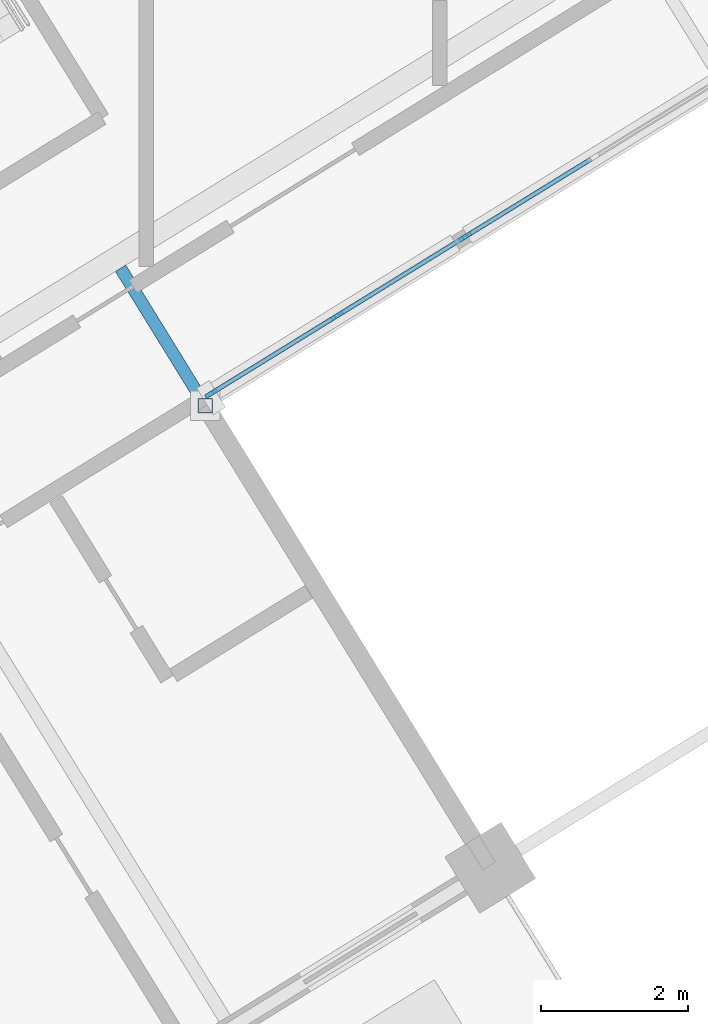
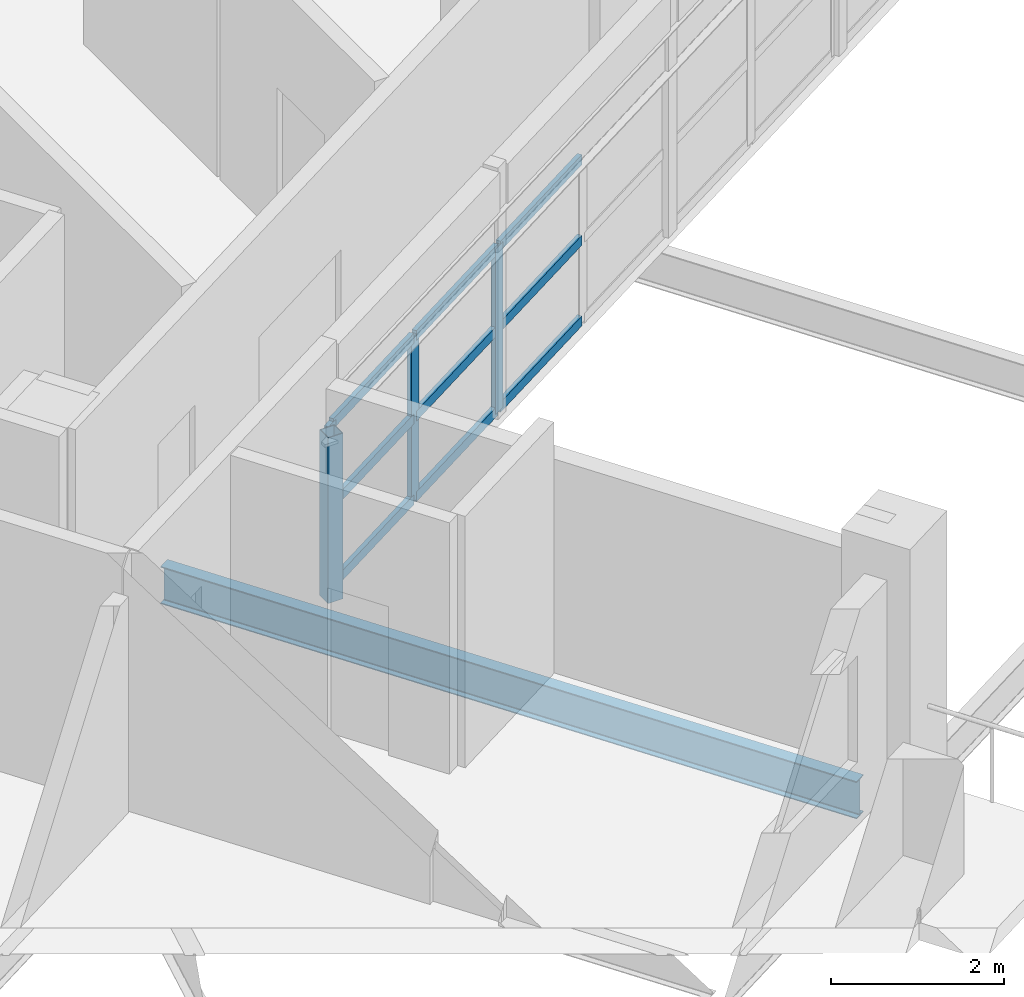
# One storey, part 2 of 22: 13 members, 1 beam, 1 element without a shape of its own.
"""IFC4 building model written with IfcOpenShell, lengths in metres."""

from ifc_helpers import new_model, si_unit, direction, frame, origin, origin_2d, place, context, subcontext, project, spatial, rectangle, hollow_rectangle, i_section, extrude, material, material_profile, profile_set, type_object, element, aggregate, save


model = new_model("IFC4")

# Units and contexts
model_context = context("Model", 3, precision=1e-05, world=origin(), true_north=direction((0.0, 1.0)))
body_context = subcontext(model_context, "Body", "Model", "MODEL_VIEW")
ifc_project = project(units=[si_unit("LENGTHUNIT", "METRE"), si_unit("AREAUNIT", "SQUARE_METRE"), si_unit("VOLUMEUNIT", "CUBIC_METRE"), si_unit("PLANEANGLEUNIT", "RADIAN"), si_unit("MASSUNIT", "GRAM", prefix="KILO")], contexts=[model_context])

# Site, building, storey
site_placement = place(None, origin())
site = spatial("IfcSite", under=ifc_project, at=site_placement, CompositionType="ELEMENT")
building_placement = place(site_placement, origin())
building = spatial("IfcBuilding", under=site, at=building_placement, Name="Cantera Rosa Tower", CompositionType="ELEMENT")
storey_placement = place(building_placement, frame((0.0, 0.0, 178.0)))
storey = spatial("IfcBuildingStorey", under=building, at=storey_placement, Name="L39", CompositionType="ELEMENT", Elevation=178.0)

# Curtain wall, members
ifc_material_1 = material(Name="Aluminium frame with clear glass", Category="aluminium")
curtain_wall_type = type_object("IfcCurtainWallType", Name="CW1 TERRACE POCKET GLAZING", PredefinedType="NOTDEFINED", material=ifc_material_1)
curtain_wall_placement = place(storey_placement, origin())
curtain_wall = element("IfcCurtainWall", 1, at=curtain_wall_placement, inside=storey, type_object=curtain_wall_type, Name="CW1 CW1", PredefinedType="NOTDEFINED")
ifc_material_2 = material(Name="Anodised bronze aluminium", Category="aluminium")
ifc_material_profile_1 = material_profile(ifc_material_2, rectangle(XDim=0.06005859375, YDim=0.179931640625, at=origin_2d()), Name="CW-MULLION 60x180 POCKET")
ifc_profile_set_1 = profile_set([ifc_material_profile_1], Name="Anodised bronze aluminium")
member_type_1 = type_object("IfcMemberType", Name="CW-MULLION 60x180 POCKET", PredefinedType="MULLION", material=ifc_profile_set_1)
member_1_placement = place(storey_placement, frame((-3.114013671875, -18.428466796875, 0.0), z_axis=(0.0, 0.0, 1.0), x_axis=(-0.524976580354, 0.851116672425, 0.0)))
member_1 = element("IfcMember", 2, at=member_1_placement, type_object=member_type_1, Name="CW1 mullion 1", PredefinedType="MULLION", context=body_context, shape_type="SweptSolid", body=[
    extrude(rectangle(XDim=0.06005859375, YDim=0.179931640625, at=origin_2d()), origin(), (0.0, 0.0, 1.0), 2.337890625),
])
member_2_placement = place(storey_placement, frame((-1.39599609375, -17.36865234375, 0.0), z_axis=(0.0, 0.0, 1.0), x_axis=(-0.524976580354, 0.851116672425, 0.0)))
member_2 = element("IfcMember", 3, at=member_2_placement, type_object=member_type_1, Name="CW1 mullion 2", PredefinedType="MULLION", context=body_context, shape_type="SweptSolid", body=[
    extrude(rectangle(XDim=0.06005859375, YDim=0.179931640625, at=origin_2d()), origin(), (0.0, 0.0, 1.0), 2.337890625),
])
member_3_placement = place(storey_placement, frame((0.347900390625, -16.293212890625, 0.0), z_axis=(0.0, 0.0, 1.0), x_axis=(-0.524976580354, 0.851116672425, 0.0)))
member_3 = element("IfcMember", 4, at=member_3_placement, type_object=member_type_1, Name="CW1 mullion 3", PredefinedType="MULLION", context=body_context, shape_type="SweptSolid", body=[
    extrude(rectangle(XDim=0.06005859375, YDim=0.179931640625, at=origin_2d()), origin(), (0.0, 0.0, 1.0), 2.337890625),
])
ifc_material_3 = material(Name="Anodised bronze aluminium", Category="aluminium")
ifc_material_profile_2 = material_profile(ifc_material_3, rectangle(XDim=0.06005859375, YDim=0.139892578125, at=origin_2d()), Name="CW-TRANSOM 60x140 POCKET")
ifc_profile_set_2 = profile_set([ifc_material_profile_2], Name="Anodised bronze aluminium")
member_type_2 = type_object("IfcMemberType", Name="CW-TRANSOM 60x140 POCKET", PredefinedType="USERDEFINED", material=ifc_profile_set_2)
member_4_placement = place(storey_placement, frame((-3.088623046875, -18.412841796875, 0.030029296875), z_axis=(0.851127248562, 0.524959433437, 0.0), x_axis=(-0.524959433437, 0.851127248562, 0.0)))
member_4 = element("IfcMember", 5, at=member_4_placement, type_object=member_type_2, Name="CW1 transom 1.1", ObjectType="TRANSOM", PredefinedType="USERDEFINED", context=body_context, shape_type="SweptSolid", body=[
    extrude(rectangle(XDim=0.06005859375, YDim=0.139892578125, at=origin_2d()), origin(), (0.0, 0.0, 1.0), 1.958740234375),
])
member_5_placement = place(storey_placement, frame((-3.088623046875, -18.412841796875, 1.1689453125), z_axis=(0.851127248562, 0.524959433437, 0.0), x_axis=(-0.524959433437, 0.851127248562, 0.0)))
member_5 = element("IfcMember", 6, at=member_5_placement, type_object=member_type_2, Name="CW1 transom 1.2", ObjectType="TRANSOM", PredefinedType="USERDEFINED", context=body_context, shape_type="SweptSolid", body=[
    extrude(rectangle(XDim=0.06005859375, YDim=0.139892578125, at=origin_2d()), origin(), (0.0, 0.0, 1.0), 1.958740234375),
])
member_6_placement = place(storey_placement, frame((-3.088623046875, -18.412841796875, 2.30810546875), z_axis=(0.851127248562, 0.524959433437, 0.0), x_axis=(-0.524959433437, 0.851127248562, 0.0)))
member_6 = element("IfcMember", 7, at=member_6_placement, type_object=member_type_2, Name="CW1 transom 1.3", ObjectType="TRANSOM", PredefinedType="USERDEFINED", context=body_context, shape_type="SweptSolid", body=[
    extrude(rectangle(XDim=0.06005859375, YDim=0.139892578125, at=origin_2d()), origin(), (0.0, 0.0, 1.0), 1.958740234375),
])
member_7_placement = place(storey_placement, frame((-1.370361328125, -17.35302734375, 0.030029296875), z_axis=(0.851080363594, 0.52503544138, 0.0), x_axis=(-0.52503544138, 0.851080363594, 0.0)))
member_7 = element("IfcMember", 8, at=member_7_placement, type_object=member_type_2, Name="CW1 transom 2.1", ObjectType="TRANSOM", PredefinedType="USERDEFINED", context=body_context, shape_type="SweptSolid", body=[
    extrude(rectangle(XDim=0.06005859375, YDim=0.139892578125, at=origin_2d()), origin(), (0.0, 0.0, 1.0), 1.98876953125),
])
member_8_placement = place(storey_placement, frame((-1.370361328125, -17.35302734375, 1.1689453125), z_axis=(0.851080363594, 0.52503544138, 0.0), x_axis=(-0.52503544138, 0.851080363594, 0.0)))
member_8 = element("IfcMember", 9, at=member_8_placement, type_object=member_type_2, Name="CW1 transom 2.2", ObjectType="TRANSOM", PredefinedType="USERDEFINED", context=body_context, shape_type="SweptSolid", body=[
    extrude(rectangle(XDim=0.06005859375, YDim=0.139892578125, at=origin_2d()), origin(), (0.0, 0.0, 1.0), 1.98876953125),
])
member_9_placement = place(storey_placement, frame((-1.370361328125, -17.35302734375, 2.30810546875), z_axis=(0.851080363594, 0.52503544138, 0.0), x_axis=(-0.52503544138, 0.851080363594, 0.0)))
member_9 = element("IfcMember", 10, at=member_9_placement, type_object=member_type_2, Name="CW1 transom 2.3", ObjectType="TRANSOM", PredefinedType="USERDEFINED", context=body_context, shape_type="SweptSolid", body=[
    extrude(rectangle(XDim=0.06005859375, YDim=0.139892578125, at=origin_2d()), origin(), (0.0, 0.0, 1.0), 1.98876953125),
])
member_10_placement = place(storey_placement, frame((0.373291015625, -16.27734375, 0.030029296875), z_axis=(0.851135216516, 0.524946514615, 0.0), x_axis=(-0.524946514615, 0.851135216516, 0.0)))
member_10 = element("IfcMember", 11, at=member_10_placement, type_object=member_type_2, Name="CW1 transom 3.1", ObjectType="TRANSOM", PredefinedType="USERDEFINED", context=body_context, shape_type="SweptSolid", body=[
    extrude(rectangle(XDim=0.06005859375, YDim=0.139892578125, at=origin_2d()), origin(), (0.0, 0.0, 1.0), 1.98876953125),
])
member_11_placement = place(storey_placement, frame((0.373291015625, -16.27734375, 1.1689453125), z_axis=(0.851135216516, 0.524946514615, 0.0), x_axis=(-0.524946514615, 0.851135216516, 0.0)))
member_11 = element("IfcMember", 12, at=member_11_placement, type_object=member_type_2, Name="CW1 transom 3.2", ObjectType="TRANSOM", PredefinedType="USERDEFINED", context=body_context, shape_type="SweptSolid", body=[
    extrude(rectangle(XDim=0.06005859375, YDim=0.139892578125, at=origin_2d()), origin(), (0.0, 0.0, 1.0), 1.98876953125),
])
member_12_placement = place(storey_placement, frame((0.373291015625, -16.27734375, 2.30810546875), z_axis=(0.851135216516, 0.524946514615, 0.0), x_axis=(-0.524946514615, 0.851135216516, 0.0)))
member_12 = element("IfcMember", 13, at=member_12_placement, type_object=member_type_2, Name="CW1 transom 3.3", ObjectType="TRANSOM", PredefinedType="USERDEFINED", context=body_context, shape_type="SweptSolid", body=[
    extrude(rectangle(XDim=0.06005859375, YDim=0.139892578125, at=origin_2d()), origin(), (0.0, 0.0, 1.0), 1.98876953125),
])
aggregate(curtain_wall, [member_1, member_2, member_3, member_4, member_5, member_6, member_7, member_8, member_9, member_10, member_11, member_12])

# Member
ifc_material_4 = material(Name="Steel ASTM A992 (Fy 345 MPa)", Category="steel")
ifc_material_profile_3 = material_profile(ifc_material_4, hollow_rectangle(XDim=0.199951171875, YDim=0.199951171875, WallThickness=0.010009765625, at=origin_2d()), Name="LINTEL POST RHS 200x200x10")
ifc_profile_set_3 = profile_set([ifc_material_profile_3], Name="Steel ASTM A992 (Fy 345 MPa)")
member_type_3 = type_object("IfcMemberType", Name="LINTEL POST RHS 200x200x10", PredefinedType="USERDEFINED", material=ifc_profile_set_3)
member_13_placement = place(storey_placement, frame((-3.193603515625, -18.594970703125, 0.0), z_axis=(0.0, 0.0, 1.0), x_axis=(1.0, 0.0, 0.0)))
element("IfcMember", 14, at=member_13_placement, inside=storey, type_object=member_type_3, Name="LINTEL POST L39-1", ObjectType="LINTEL POST", PredefinedType="USERDEFINED", context=body_context, shape_type="SweptSolid", body=[
    extrude(hollow_rectangle(XDim=0.199951171875, YDim=0.199951171875, WallThickness=0.010009765625, at=origin_2d()), origin(), (0.0, 0.0, 1.0), 2.340087890625),
])

# Beam
ifc_material_5 = material(Name="Steel ASTM A992 (Fy 345 MPa)", Category="steel")
ifc_material_profile_4 = material_profile(ifc_material_5, i_section(OverallWidth=0.166015625, OverallDepth=0.528076171875, WebThickness=0.009765625, FlangeThickness=0.013671875, FilletRadius=0.0126953125, at=origin_2d()), Name="W530X74")
ifc_profile_set_4 = profile_set([ifc_material_profile_4], Name="Steel ASTM A992 (Fy 345 MPa)")
beam_type = type_object("IfcBeamType", Name="STEEL BEAM W530X74", PredefinedType="BEAM", material=ifc_profile_set_4)
beam_placement = place(storey_placement, frame((0.455078125, -24.51025390625, -0.513916015625), z_axis=(-0.524976979362, 0.851116426313, 0.0), x_axis=(-0.851116426313, -0.524976979362, 0.0)))
element("IfcBeam", 15, at=beam_placement, inside=storey, type_object=beam_type, Name="G-Z3-09 L39", PredefinedType="BEAM", context=body_context, shape_type="SweptSolid", body=[
    extrude(i_section(OverallWidth=0.166015625, OverallDepth=0.528076171875, WebThickness=0.009765625, FlangeThickness=0.013671875, FilletRadius=0.0126953125, at=origin_2d()), origin(), (0.0, 0.0, 1.0), 9.14990234375),
])

save(model, "model.ifc")
